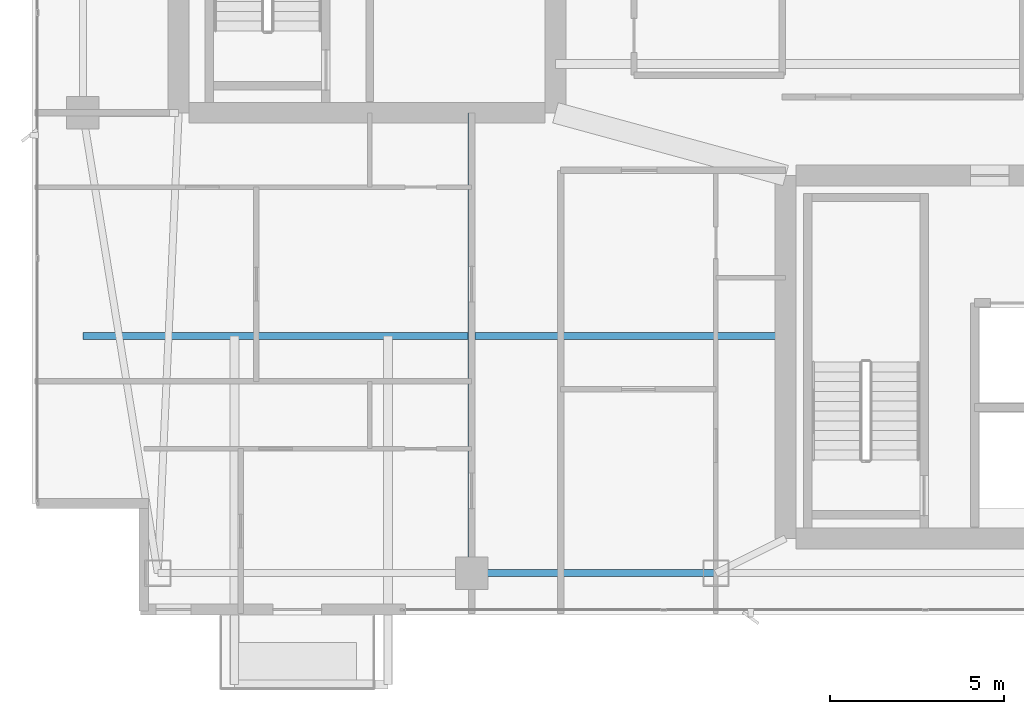
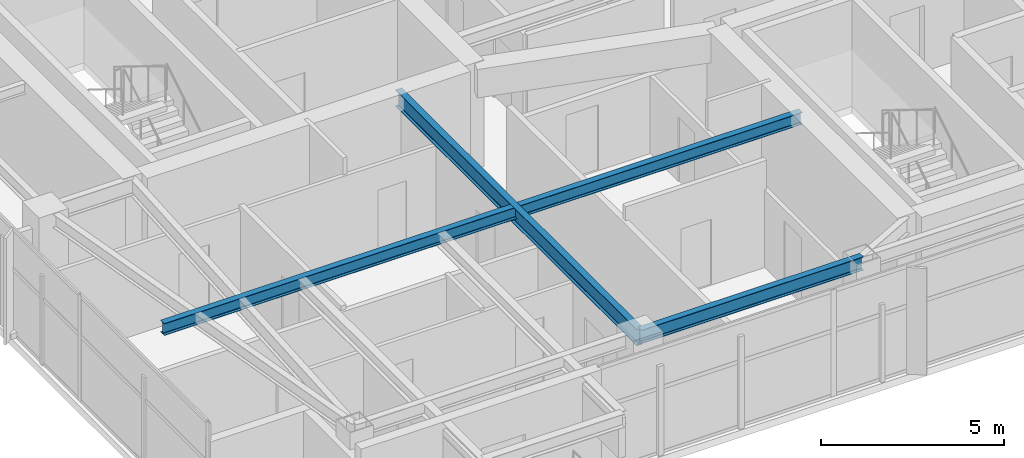
# One storey, part 6 of 28: 3 beams.
"""IFC4 building model written with IfcOpenShell, lengths in metres."""

from ifc_helpers import new_model, si_unit, direction, frame, origin, origin_2d, place, context, subcontext, project, spatial, i_section, extrude, material, material_profile, profile_set, type_object, element, save


model = new_model("IFC4")

# Units and contexts
model_context = context("Model", 3, precision=1e-05, world=origin(), true_north=direction((0.0, 1.0)))
body_context = subcontext(model_context, "Body", "Model", "MODEL_VIEW")
ifc_project = project(units=[si_unit("LENGTHUNIT", "METRE"), si_unit("AREAUNIT", "SQUARE_METRE"), si_unit("VOLUMEUNIT", "CUBIC_METRE"), si_unit("PLANEANGLEUNIT", "RADIAN"), si_unit("MASSUNIT", "GRAM", prefix="KILO")], contexts=[model_context])

# Site, building, storey
site_placement = place(None, origin())
site = spatial("IfcSite", under=ifc_project, at=site_placement, CompositionType="ELEMENT")
building_placement = place(site_placement, origin())
building = spatial("IfcBuilding", under=site, at=building_placement, Name="Calvorn Quay Hotel", CompositionType="ELEMENT")
storey_placement = place(building_placement, frame((0.0, 0.0, 267.300048828125)))
storey = spatial("IfcBuildingStorey", under=building, at=storey_placement, Name="L66", CompositionType="ELEMENT", Elevation=267.300048828125)

# Beams
ifc_material_1 = material(Name="Steel Q355B", Category="steel")
ifc_material_profile_1 = material_profile(ifc_material_1, i_section(OverallWidth=0.199951171875, OverallDepth=0.550048828125, WebThickness=0.010009765625, FlangeThickness=0.01611328125, FilletRadius=0.01806640625, at=origin_2d()), Name="HN550x200x10x16")
ifc_profile_set_1 = profile_set([ifc_material_profile_1], Name="Steel Q355B")
beam_type_1 = type_object("IfcBeamType", Name="BM-GIRD-UPP", PredefinedType="BEAM", material=ifc_profile_set_1)
beam_1_placement = place(storey_placement, frame((12.60009765625, 3.60009765625, 3.264892578125), z_axis=(0.0, 1.0, 0.0), x_axis=(-1.0, 0.0, 0.0)))
element("IfcBeam", 1, at=beam_1_placement, inside=storey, type_object=beam_type_1, Name="Beam BG-L66-S1", PredefinedType="BEAM", context=body_context, shape_type="SweptSolid", body=[
    extrude(i_section(OverallWidth=0.199951171875, OverallDepth=0.550048828125, WebThickness=0.010009765625, FlangeThickness=0.01611328125, FilletRadius=0.01806640625, at=origin_2d()), origin(), (0.0, 0.0, 1.0), 13.199951171875),
])
ifc_material_2 = material(Name="Steel Q355B", Category="steel")
ifc_material_profile_2 = material_profile(ifc_material_2, i_section(OverallWidth=0.199951171875, OverallDepth=0.39990234375, WebThickness=0.008056640625, FlangeThickness=0.012939453125, FilletRadius=0.01611328125, at=origin_2d()), Name="HN400x200x8x13")
ifc_profile_set_2 = profile_set([ifc_material_profile_2], Name="Steel Q355B")
beam_type_2 = type_object("IfcBeamType", Name="BM-JOIST-TYP", PredefinedType="JOIST", material=ifc_profile_set_2)
beam_2_placement = place(storey_placement, frame((1.449951171875, 10.39990234375, 3.33984375), z_axis=(1.0, 0.0, 0.0), x_axis=(0.0, 1.0, 0.0)))
element("IfcBeam", 2, at=beam_2_placement, inside=storey, type_object=beam_type_2, Name="Beam BJ-L66-W1", PredefinedType="JOIST", context=body_context, shape_type="SweptSolid", body=[
    extrude(i_section(OverallWidth=0.199951171875, OverallDepth=0.39990234375, WebThickness=0.008056640625, FlangeThickness=0.012939453125, FilletRadius=0.01611328125, at=origin_2d()), origin(), (0.0, 0.0, 1.0), 20.150146484375),
])
ifc_material_3 = material(Name="Steel Q355B", Category="steel")
ifc_material_profile_3 = material_profile(ifc_material_3, i_section(OverallWidth=0.199951171875, OverallDepth=0.449951171875, WebThickness=0.009033203125, FlangeThickness=0.013916015625, FilletRadius=0.01611328125, at=origin_2d()), Name="HN450x200x9x14")
ifc_profile_set_3 = profile_set([ifc_material_profile_3], Name="Steel Q355B")
beam_type_3 = type_object("IfcBeamType", Name="BM-SPANDREL-Z3", PredefinedType="SPANDREL", material=ifc_profile_set_3)
beam_3_placement = place(storey_placement, frame((12.60009765625, 3.60009765625, 3.31494140625), z_axis=(1.0, 0.0, 0.0), x_axis=(0.0, 1.0, 0.0)))
element("IfcBeam", 3, at=beam_3_placement, inside=storey, type_object=beam_type_3, Name="Beam BSP-L66-S2", PredefinedType="SPANDREL", context=body_context, shape_type="SweptSolid", body=[
    extrude(i_section(OverallWidth=0.199951171875, OverallDepth=0.449951171875, WebThickness=0.009033203125, FlangeThickness=0.013916015625, FilletRadius=0.01611328125, at=origin_2d()), origin(), (0.0, 0.0, 1.0), 7.0),
])

save(model, "model.ifc")
